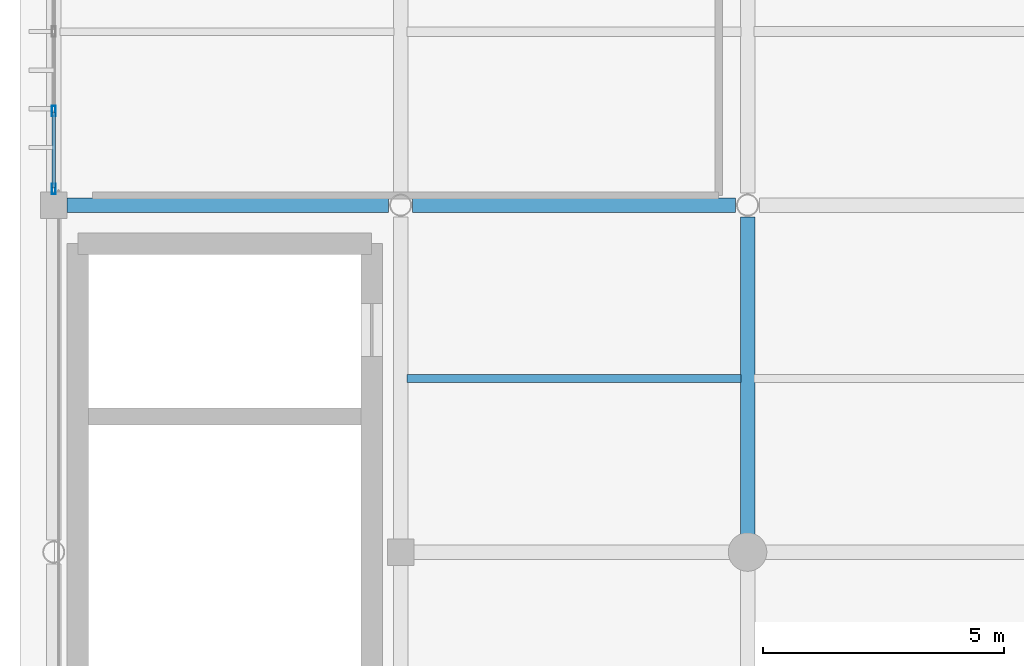
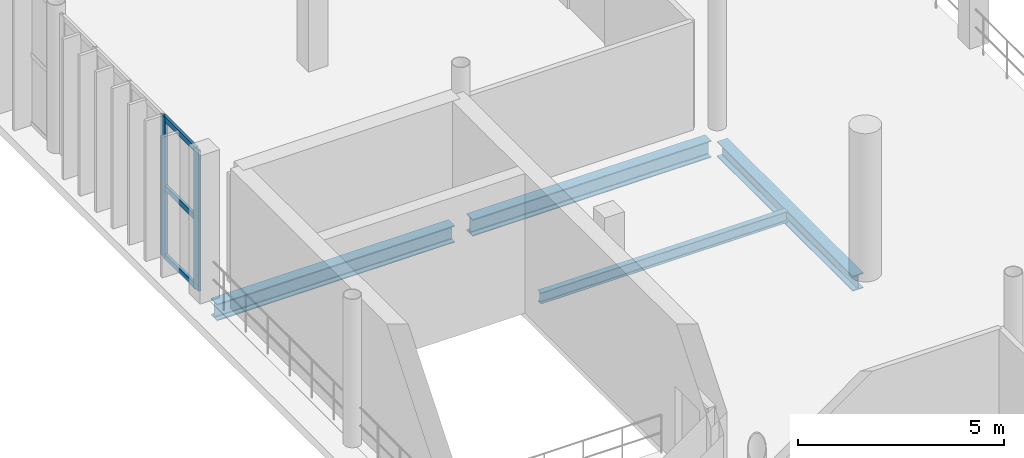
# One storey, part 36 of 81: 5 members, 4 beams, 1 element without a shape of its own.
"""IFC4 building model written with IfcOpenShell, lengths in metres."""

from ifc_helpers import new_model, si_unit, direction, frame, origin, origin_2d, place, context, subcontext, project, spatial, hollow_rectangle, i_section, extrude, material, material_profile, profile_set, type_object, element, aggregate, save


model = new_model("IFC4")

# Units and contexts
model_context = context("Model", 3, precision=1e-05, world=origin(), true_north=direction((0.0, 1.0)))
body_context = subcontext(model_context, "Body", "Model", "MODEL_VIEW")
ifc_project = project(units=[si_unit("LENGTHUNIT", "METRE"), si_unit("AREAUNIT", "SQUARE_METRE"), si_unit("VOLUMEUNIT", "CUBIC_METRE"), si_unit("PLANEANGLEUNIT", "RADIAN"), si_unit("MASSUNIT", "GRAM", prefix="KILO")], contexts=[model_context])

# Site, building, storey
site_placement = place(None, origin())
site = spatial("IfcSite", under=ifc_project, at=site_placement, CompositionType="ELEMENT")
building_placement = place(site_placement, origin())
building = spatial("IfcBuilding", under=site, at=building_placement, Name="Qandorah Velis Arena", CompositionType="ELEMENT")
storey_placement = place(building_placement, frame((0.0, 0.0, 18.60009765625)))
storey = spatial("IfcBuildingStorey", under=building, at=storey_placement, Name="L04", CompositionType="ELEMENT", Elevation=18.60009765625)

# Curtain wall, members
ifc_material_1 = material(Name="Solar-control low-E double glazing", Category="glass")
curtain_wall_type = type_object("IfcCurtainWallType", Name="ARC-CW-SYS13", PredefinedType="USERDEFINED", material=ifc_material_1)
curtain_wall_placement = place(storey_placement, origin())
curtain_wall = element("IfcCurtainWall", 1, at=curtain_wall_placement, inside=storey, type_object=curtain_wall_type, Name="Unitised curtain wall L04-037", ObjectType="UNITISED CURTAIN WALL", PredefinedType="USERDEFINED")
ifc_material_2 = material(Name="Champagne-bronze anodized aluminium 6063-T6", Category="aluminium")
ifc_material_profile_1 = material_profile(ifc_material_2, hollow_rectangle(XDim=0.074951171875, YDim=0.219970703125, WallThickness=0.00390625, at=origin_2d()), Name="ALU MULLION 75x220")
ifc_profile_set_1 = profile_set([ifc_material_profile_1], Name="Champagne-bronze anodized aluminium 6063-T6")
member_type_1 = type_object("IfcMemberType", Name="ARC-CWM-220", PredefinedType="MULLION", material=ifc_profile_set_1)
member_1_placement = place(storey_placement, frame((0.0, 93.9375, -0.01513671875), z_axis=(0.0, 0.0, 1.0), x_axis=(-1.0, 0.0, 0.0)))
member_1 = element("IfcMember", 2, at=member_1_placement, type_object=member_type_1, Name="CW13 mullion 1", PredefinedType="MULLION", context=body_context, shape_type="SweptSolid", body=[
    extrude(hollow_rectangle(XDim=0.074951171875, YDim=0.219970703125, WallThickness=0.00390625, at=origin_2d()), origin(), (0.0, 0.0, 1.0), 4.179931640625),
])
member_2_placement = place(storey_placement, frame((0.0, 95.550048828125, -0.01513671875), z_axis=(0.0, 0.0, 1.0), x_axis=(-1.0, 0.0, 0.0)))
member_2 = element("IfcMember", 3, at=member_2_placement, type_object=member_type_1, Name="CW13 mullion 2", PredefinedType="MULLION", context=body_context, shape_type="SweptSolid", body=[
    extrude(hollow_rectangle(XDim=0.074951171875, YDim=0.219970703125, WallThickness=0.00390625, at=origin_2d()), origin(), (0.0, 0.0, 1.0), 4.179931640625),
])
ifc_material_profile_2 = material_profile(ifc_material_2, hollow_rectangle(XDim=0.074951171875, YDim=0.159912109375, WallThickness=0.00341796875, at=origin_2d()), Name="ALU TRANSOM 75x160")
ifc_profile_set_2 = profile_set([ifc_material_profile_2], Name="Champagne-bronze anodized aluminium 6063-T6")
member_type_2 = type_object("IfcMemberType", Name="ARC-CWT-160", PredefinedType="USERDEFINED", material=ifc_profile_set_2)
member_3_placement = place(storey_placement, frame((0.0, 93.962890625, 0.037353515625), z_axis=(0.0, 1.0, 0.0), x_axis=(-1.0, 0.0, 0.0)))
member_3 = element("IfcMember", 4, at=member_3_placement, type_object=member_type_2, Name="CW13 transom 1.1", ObjectType="TRANSOM", PredefinedType="USERDEFINED", context=body_context, shape_type="SweptSolid", body=[
    extrude(hollow_rectangle(XDim=0.074951171875, YDim=0.159912109375, WallThickness=0.00341796875, at=origin_2d()), origin(), (0.0, 0.0, 1.0), 1.5615234375),
])
member_4_placement = place(storey_placement, frame((0.0, 93.962890625, 2.074951171875), z_axis=(0.0, 1.0, 0.0), x_axis=(-1.0, 0.0, 0.0)))
member_4 = element("IfcMember", 5, at=member_4_placement, type_object=member_type_2, Name="CW13 transom 1.2", ObjectType="TRANSOM", PredefinedType="USERDEFINED", context=body_context, shape_type="SweptSolid", body=[
    extrude(hollow_rectangle(XDim=0.074951171875, YDim=0.159912109375, WallThickness=0.00341796875, at=origin_2d()), origin(), (0.0, 0.0, 1.0), 1.5615234375),
])
member_5_placement = place(storey_placement, frame((0.0, 93.962890625, 4.1123046875), z_axis=(0.0, 1.0, 0.0), x_axis=(-1.0, 0.0, 0.0)))
member_5 = element("IfcMember", 6, at=member_5_placement, type_object=member_type_2, Name="CW13 transom 1.3", ObjectType="TRANSOM", PredefinedType="USERDEFINED", context=body_context, shape_type="SweptSolid", body=[
    extrude(hollow_rectangle(XDim=0.074951171875, YDim=0.159912109375, WallThickness=0.00341796875, at=origin_2d()), origin(), (0.0, 0.0, 1.0), 1.5615234375),
])
aggregate(curtain_wall, [member_1, member_2, member_3, member_4, member_5])

# Beams
ifc_material_3 = material(Name="Steel S355", Category="steel")
ifc_material_profile_3 = material_profile(ifc_material_3, i_section(OverallWidth=0.300048828125, OverallDepth=0.449951171875, WebThickness=0.013916015625, FlangeThickness=0.02587890625, FilletRadius=0.027099609375, at=origin_2d()), Name="HEB 450")
ifc_profile_set_3 = profile_set([ifc_material_profile_3], Name="Steel S355")
beam_type_1 = type_object("IfcBeamType", Name="STR-BM-HEB450", PredefinedType="BEAM", material=ifc_profile_set_3)
beam_1_placement = place(storey_placement, frame((14.39990234375, 86.75, -0.4951171875), z_axis=(0.0, 1.0, 0.0), x_axis=(-1.0, 0.0, 0.0)))
element("IfcBeam", 7, at=beam_1_placement, inside=storey, type_object=beam_type_1, Name="Primary floor girder L04 Y-179", PredefinedType="BEAM", context=body_context, shape_type="SweptSolid", body=[
    extrude(i_section(OverallWidth=0.300048828125, OverallDepth=0.449951171875, WebThickness=0.013916015625, FlangeThickness=0.02587890625, FilletRadius=0.027099609375, at=origin_2d()), origin(), (0.0, 0.0, 1.0), 6.60009765625),
])
ifc_material_profile_4 = material_profile(ifc_material_3, i_section(OverallWidth=0.300048828125, OverallDepth=0.5, WebThickness=0.014404296875, FlangeThickness=0.028076171875, FilletRadius=0.027099609375, at=origin_2d()), Name="HEB 500")
ifc_profile_set_4 = profile_set([ifc_material_profile_4], Name="Steel S355")
beam_type_2 = type_object("IfcBeamType", Name="STR-BM-HEB500", PredefinedType="BEAM", material=ifc_profile_set_4)
beam_2_placement = place(storey_placement, frame((0.27490234375, 93.60009765625, -0.52001953125), z_axis=(1.0, 0.0, 0.0), x_axis=(0.0, 1.0, 0.0)))
element("IfcBeam", 8, at=beam_2_placement, inside=storey, type_object=beam_type_2, Name="Primary floor girder L04 X-091", PredefinedType="BEAM", context=body_context, shape_type="SweptSolid", body=[
    extrude(i_section(OverallWidth=0.300048828125, OverallDepth=0.5, WebThickness=0.014404296875, FlangeThickness=0.028076171875, FilletRadius=0.027099609375, at=origin_2d()), origin(), (0.0, 0.0, 1.0), 6.675048828125),
])
beam_3_placement = place(storey_placement, frame((7.449951171875, 93.60009765625, -0.52001953125), z_axis=(1.0, 0.0, 0.0), x_axis=(0.0, 1.0, 0.0)))
element("IfcBeam", 9, at=beam_3_placement, inside=storey, type_object=beam_type_2, Name="Primary floor girder L04 X-092", PredefinedType="BEAM", context=body_context, shape_type="SweptSolid", body=[
    extrude(i_section(OverallWidth=0.300048828125, OverallDepth=0.5, WebThickness=0.014404296875, FlangeThickness=0.028076171875, FilletRadius=0.027099609375, at=origin_2d()), origin(), (0.0, 0.0, 1.0), 6.699951171875),
])
ifc_material_profile_5 = material_profile(ifc_material_3, i_section(OverallWidth=0.159912109375, OverallDepth=0.330078125, WebThickness=0.007568359375, FlangeThickness=0.011474609375, FilletRadius=0.01806640625, at=origin_2d()), Name="IPE 330")
ifc_profile_set_5 = profile_set([ifc_material_profile_5], Name="Steel S355")
beam_type_3 = type_object("IfcBeamType", Name="STR-JST-IPE330", PredefinedType="JOIST", material=ifc_profile_set_5)
beam_4_placement = place(storey_placement, frame((7.3349609375, 90.0, -0.43505859375), z_axis=(1.0, 0.0, 0.0), x_axis=(0.0, 1.0, 0.0)))
element("IfcBeam", 10, at=beam_4_placement, inside=storey, type_object=beam_type_3, Name="Secondary floor joist L04-018", PredefinedType="JOIST", context=body_context, shape_type="SweptSolid", body=[
    extrude(i_section(OverallWidth=0.159912109375, OverallDepth=0.330078125, WebThickness=0.007568359375, FlangeThickness=0.011474609375, FilletRadius=0.01806640625, at=origin_2d()), origin(), (0.0, 0.0, 1.0), 6.929931640625),
])

save(model, "model.ifc")
